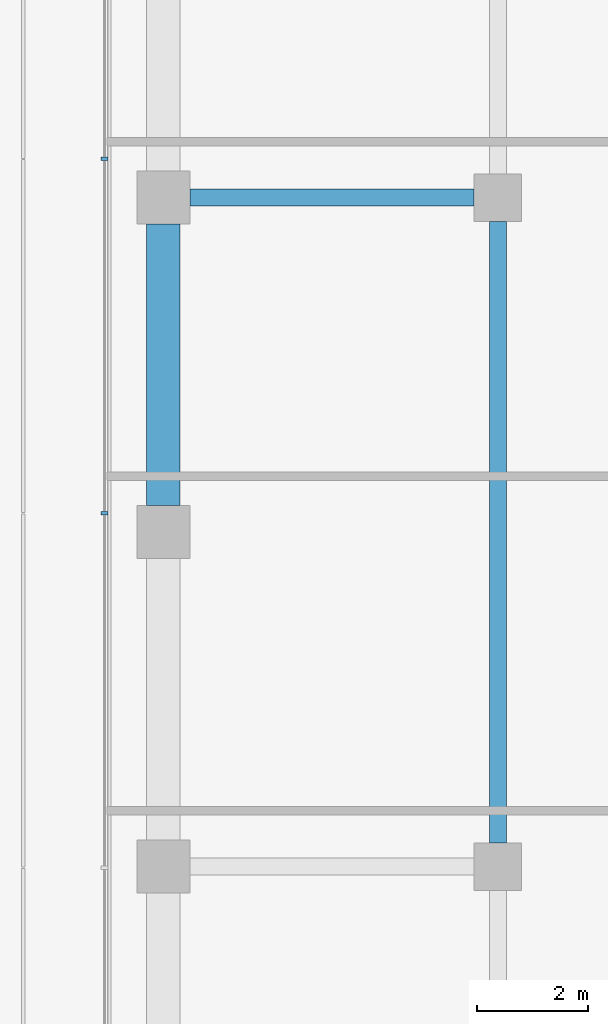
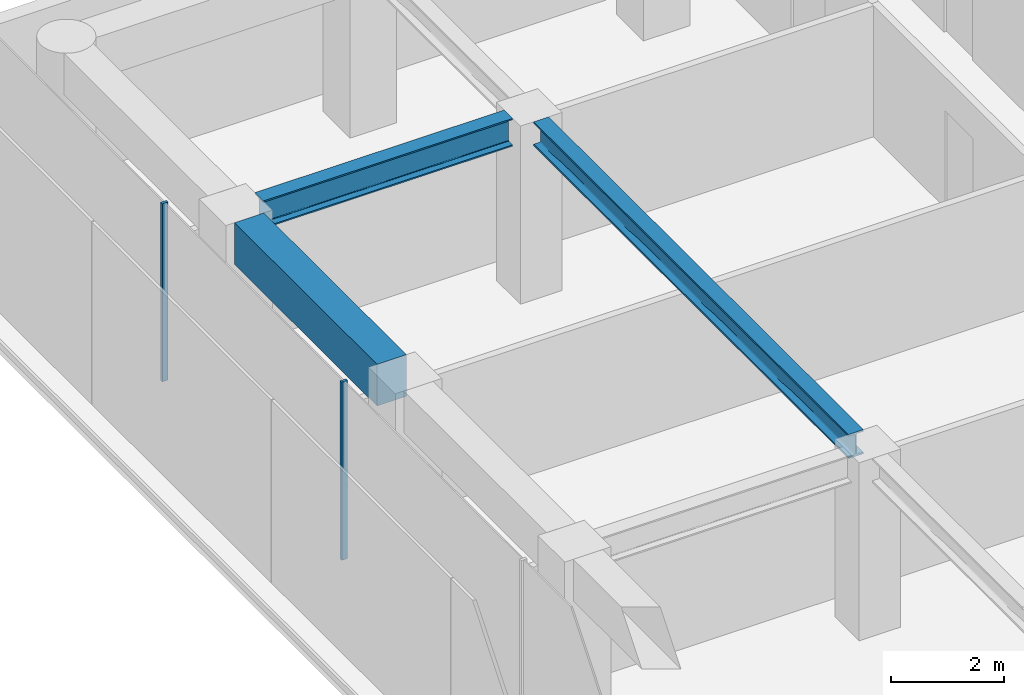
# One storey, part 16 of 29: 3 beams, 2 members, 1 element without a shape of its own.
"""IFC4 building model written with IfcOpenShell, lengths in metres."""

from ifc_helpers import new_model, si_unit, direction, frame, origin, origin_2d, place, context, subcontext, project, spatial, rectangle, i_section, extrude, material, layer, layer_set, material_profile, profile_set, type_object, element, aggregate, save


model = new_model("IFC4")

# Units and contexts
model_context = context("Model", 3, precision=1e-05, world=origin(), true_north=direction((0.0, 1.0)))
body_context = subcontext(model_context, "Body", "Model", "MODEL_VIEW")
ifc_project = project(units=[si_unit("LENGTHUNIT", "METRE"), si_unit("AREAUNIT", "SQUARE_METRE"), si_unit("VOLUMEUNIT", "CUBIC_METRE"), si_unit("PLANEANGLEUNIT", "RADIAN"), si_unit("MASSUNIT", "GRAM", prefix="KILO")], contexts=[model_context])

# Site, building, storey
site_placement = place(None, origin())
site = spatial("IfcSite", under=ifc_project, at=site_placement, CompositionType="ELEMENT")
building_placement = place(site_placement, origin())
building = spatial("IfcBuilding", under=site, at=building_placement, Name="Welwitschia Terrace Campus", CompositionType="ELEMENT")
storey_placement = place(building_placement, frame((0.0, 0.0, 41.60009765625)))
storey = spatial("IfcBuildingStorey", under=building, at=storey_placement, Name="L09", CompositionType="ELEMENT", Elevation=41.60009765625)

# Beam
ifc_material_1 = material(Name="Steel S355", Category="steel")
ifc_material_profile_1 = material_profile(ifc_material_1, i_section(OverallWidth=0.305908203125, OverallDepth=0.52392578125, WebThickness=0.02099609375, FlangeThickness=0.0400390625, FilletRadius=0.027099609375, at=origin_2d()))
ifc_profile_set_1 = profile_set([ifc_material_profile_1], Name="Steel S355")
beam_type_1 = type_object("IfcBeamType", Name="Interior girder HE 500 M", PredefinedType="BEAM", material=ifc_profile_set_1)
beam_1_placement = place(storey_placement, frame((6.0, 44.425537109375, 3.587890625), z_axis=(0.0, 1.0, 0.0), x_axis=(-1.0, 0.0, 0.0)))
element("IfcBeam", 1, at=beam_1_placement, inside=storey, type_object=beam_type_1, Name="Girder GB2", PredefinedType="BEAM", context=body_context, shape_type="SweptSolid", body=[
    extrude(i_section(OverallWidth=0.305908203125, OverallDepth=0.52392578125, WebThickness=0.02099609375, FlangeThickness=0.0400390625, FilletRadius=0.027099609375, at=origin_2d()), origin(), (0.0, 0.0, 1.0), 11.14892578125),
])

# Curtain wall, members
ifc_material_2 = material(Name="Bronze anodised aluminium", Category="aluminium")
ifc_layer = layer(ifc_material_2, 0.1201171875)
ifc_layer_set = layer_set([ifc_layer], Name="Bronze anodised aluminium")
curtain_wall_type = type_object("IfcCurtainWallType", Name="Curtain wall CW2 tower 6000", PredefinedType="NOTDEFINED", material=ifc_layer_set)
curtain_wall_placement = place(storey_placement, origin())
curtain_wall = element("IfcCurtainWall", 2, at=curtain_wall_placement, inside=storey, type_object=curtain_wall_type, Name="CW L09.13.0", PredefinedType="NOTDEFINED")
ifc_material_3 = material(Name="Bronze anodised aluminium", Category="aluminium")
ifc_material_profile_2 = material_profile(ifc_material_3, rectangle(XDim=0.1201171875, YDim=0.06005859375, at=origin_2d()))
ifc_profile_set_2 = profile_set([ifc_material_profile_2], Name="Bronze anodised aluminium")
member_type = type_object("IfcMemberType", Name="Mullion 60x120", PredefinedType="MULLION", material=ifc_profile_set_2)
member_1_placement = place(storey_placement, frame((-1.05810546875, 56.69580078125, 0.0), z_axis=(0.0, 0.0, 1.0), x_axis=(1.0, 0.0, 0.0)))
member_1 = element("IfcMember", 3, at=member_1_placement, type_object=member_type, Name="Mullion L09.13.0.1", PredefinedType="MULLION", context=body_context, shape_type="SweptSolid", body=[
    extrude(rectangle(XDim=0.1201171875, YDim=0.06005859375, at=origin_2d()), origin(), (0.0, 0.0, 1.0), 3.849853515625),
])
member_2_placement = place(storey_placement, frame((-1.05810546875, 50.337158203125, 0.0), z_axis=(0.0, 0.0, 1.0), x_axis=(1.0, 0.0, 0.0)))
member_2 = element("IfcMember", 4, at=member_2_placement, type_object=member_type, Name="Mullion L09.13.0.2", PredefinedType="MULLION", context=body_context, shape_type="SweptSolid", body=[
    extrude(rectangle(XDim=0.1201171875, YDim=0.06005859375, at=origin_2d()), origin(), (0.0, 0.0, 1.0), 3.849853515625),
])
aggregate(curtain_wall, [member_1, member_2])

# Beams
ifc_material_4 = material(Name="Steel S355", Category="steel")
ifc_material_profile_3 = material_profile(ifc_material_4, i_section(OverallWidth=0.300048828125, OverallDepth=0.60009765625, WebThickness=0.015380859375, FlangeThickness=0.030029296875, FilletRadius=0.027099609375, at=origin_2d()))
ifc_profile_set_3 = profile_set([ifc_material_profile_3], Name="Steel S355")
beam_type_2 = type_object("IfcBeamType", Name="Primary beam HE 600 B", PredefinedType="BEAM", material=ifc_profile_set_3)
beam_2_placement = place(storey_placement, frame((0.4755859375, 56.0, 3.5498046875), z_axis=(1.0, 0.0, 0.0), x_axis=(0.0, 1.0, 0.0)))
element("IfcBeam", 5, at=beam_2_placement, inside=storey, type_object=beam_type_2, Name="Primary beam PB2", PredefinedType="BEAM", context=body_context, shape_type="SweptSolid", body=[
    extrude(i_section(OverallWidth=0.300048828125, OverallDepth=0.60009765625, WebThickness=0.015380859375, FlangeThickness=0.030029296875, FilletRadius=0.027099609375, at=origin_2d()), origin(), (0.0, 0.0, 1.0), 5.098876953125),
])
ifc_material_5 = material(Name="Concrete C60/75", Category="concrete")
ifc_material_profile_4 = material_profile(ifc_material_5, rectangle(XDim=0.60009765625, YDim=0.89990234375, at=origin_2d()))
ifc_profile_set_4 = profile_set([ifc_material_profile_4], Name="Concrete C60/75")
beam_type_3 = type_object("IfcBeamType", Name="Ring spandrel 600x900", PredefinedType="SPANDREL", material=ifc_profile_set_4)
beam_3_placement = place(storey_placement, frame((0.0, 55.5244140625, 3.39990234375), z_axis=(0.0, -1.0, 0.0), x_axis=(1.0, 0.0, 0.0)))
element("IfcBeam", 6, at=beam_3_placement, inside=storey, type_object=beam_type_3, Name="Spandrel SP2", PredefinedType="SPANDREL", context=body_context, shape_type="SweptSolid", body=[
    extrude(rectangle(XDim=0.60009765625, YDim=0.89990234375, at=origin_2d()), origin(), (0.0, 0.0, 1.0), 5.048828125),
])

save(model, "model.ifc")
